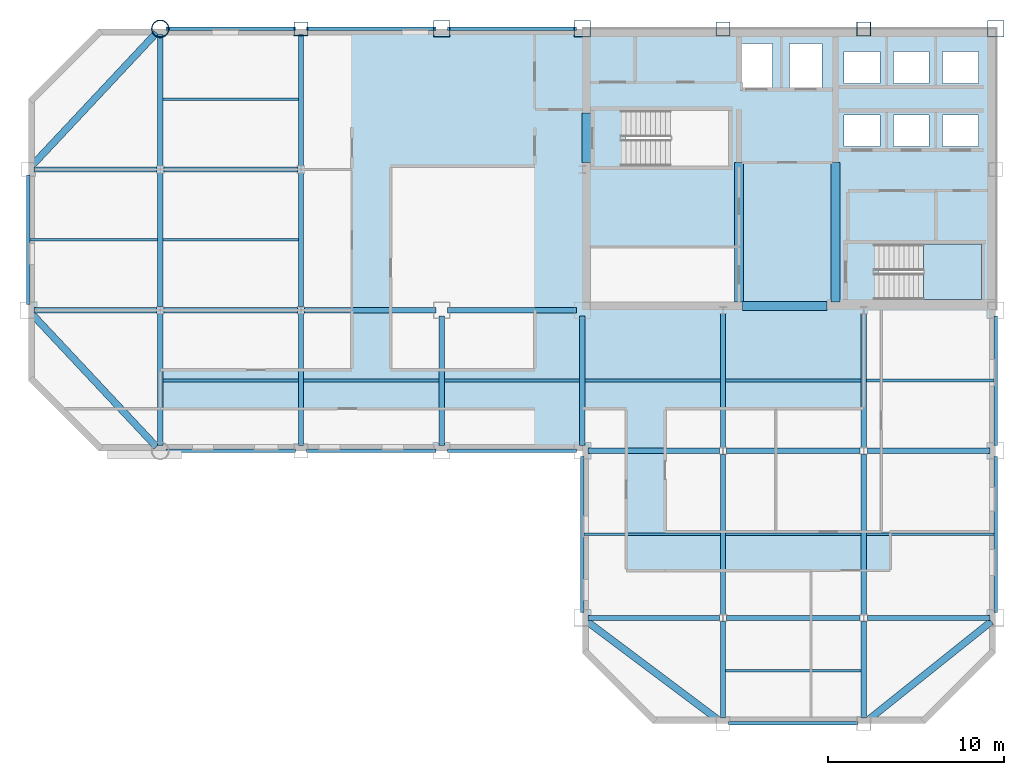
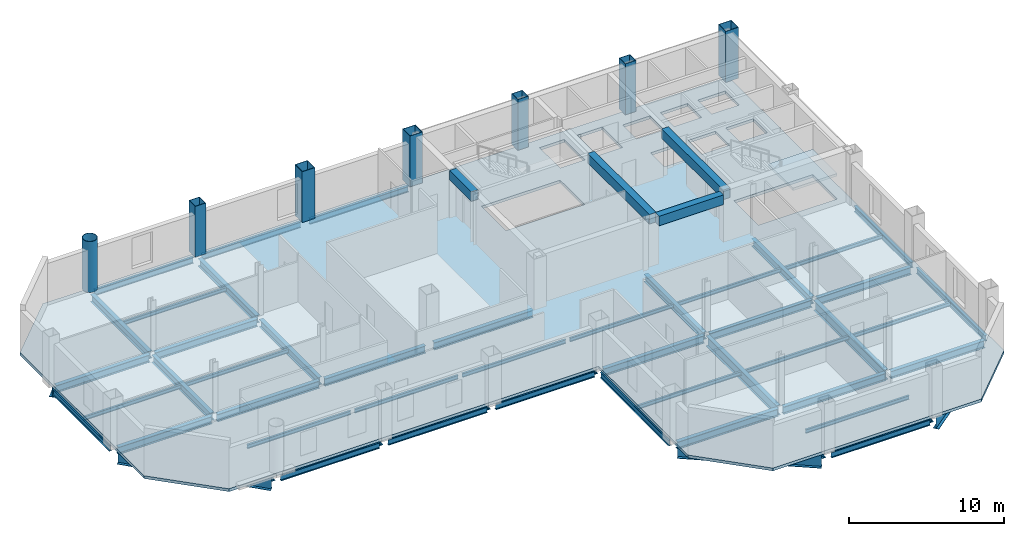
# One storey, part 3 of 10: 58 beams, 7 columns, 2 slabs, 1 element without a shape of its own.
"""IFC4 building model written with IfcOpenShell, lengths in metres."""

from ifc_helpers import new_model, si_unit, direction, frame, origin, origin_2d, place, context, subcontext, project, spatial, polyline, rectangle, hollow_rectangle, hollow_circle, i_section, outline, extrude, material, layer, layer_set, material_profile, profile_set, type_object, element, aggregate, save


model = new_model("IFC4")

# Units and contexts
model_context = context("Model", 3, precision=1e-05, world=origin(), true_north=direction((0.0, 1.0)))
body_context = subcontext(model_context, "Body", "Model", "MODEL_VIEW")
ifc_project = project(units=[si_unit("LENGTHUNIT", "METRE"), si_unit("AREAUNIT", "SQUARE_METRE"), si_unit("VOLUMEUNIT", "CUBIC_METRE"), si_unit("PLANEANGLEUNIT", "RADIAN"), si_unit("MASSUNIT", "GRAM", prefix="KILO")], contexts=[model_context])

# Site, building, storey
site_placement = place(None, origin())
site = spatial("IfcSite", under=ifc_project, at=site_placement, CompositionType="ELEMENT")
building_placement = place(site_placement, origin())
building = spatial("IfcBuilding", under=site, at=building_placement, Name="Qianrong Seaharbour Tower", CompositionType="ELEMENT")
storey_placement = place(building_placement, frame((0.0, 0.0, 245.800048828125)))
storey = spatial("IfcBuildingStorey", under=building, at=storey_placement, Name="L59", CompositionType="ELEMENT", Elevation=245.800048828125)

# Columns
ifc_material_1 = material(Name="Structural steel SN490B", Category="steel")
ifc_material_profile_1 = material_profile(ifc_material_1, hollow_rectangle(XDim=0.949951171875, YDim=0.949951171875, WallThickness=0.035888671875, at=origin_2d()), Name="BOX950x950x36")
ifc_profile_set_1 = profile_set([ifc_material_profile_1], Name="Structural steel SN490B")
column_type_1 = type_object("IfcColumnType", Name="COL-CFT-950", PredefinedType="COLUMN", material=ifc_profile_set_1)
for number, where, z_axis, x_axis, name in (
    (1, (32.5, 52.0, 0.0), (0.0, 0.0, 1.0), (1.0, 0.0, 0.0), "L59 Column MC-4 at G5/GH"),
    (2, (40.5, 52.0, 0.0), (0.0, 0.0, 1.0), (1.0, 0.0, 0.0), "L59 Column MC-4 at G6/GH"),
    (3, (64.0, 52.0, 0.0), (0.0, 0.0, 1.0), (1.0, 0.0, 0.0), "L59 Column MC-4 at G9/GH"),
):
    element("IfcColumn", number, at=place(storey_placement, frame(where, z_axis=z_axis, x_axis=x_axis)), inside=storey, type_object=column_type_1, Name=name, PredefinedType="COLUMN", context=body_context, shape_type="SweptSolid", body=[
        extrude(hollow_rectangle(XDim=0.949951171875, YDim=0.949951171875, WallThickness=0.035888671875, at=origin_2d()), origin(), (0.0, 0.0, 1.0), 4.0),
    ])
ifc_material_profile_2 = material_profile(ifc_material_1, hollow_circle(Radius=0.5, WallThickness=0.035888671875, at=origin_2d()), Name="CHS1000x36")
ifc_profile_set_2 = profile_set([ifc_material_profile_2], Name="Structural steel SN490B")
column_type_2 = type_object("IfcColumnType", Name="COL-CHS-1000", PredefinedType="COLUMN", material=ifc_profile_set_2)
column_placement = place(storey_placement, frame((16.5, 52.0, 0.0), z_axis=(0.0, 0.0, 1.0), x_axis=(1.0, 0.0, 0.0)))
element("IfcColumn", 4, at=column_placement, inside=storey, type_object=column_type_2, Name="L59 Column CC-2 at G3/GH", PredefinedType="COLUMN", context=body_context, shape_type="SweptSolid", body=[
    extrude(hollow_circle(Radius=0.5, WallThickness=0.035888671875, at=origin_2d()), origin(), (0.0, 0.0, 1.0), 4.0),
])
ifc_material_profile_3 = material_profile(ifc_material_1, hollow_rectangle(XDim=0.800048828125, YDim=0.800048828125, WallThickness=0.031982421875, at=origin_2d()), Name="BOX800x800x32")
ifc_profile_set_3 = profile_set([ifc_material_profile_3], Name="Structural steel SN490B")
column_type_3 = type_object("IfcColumnType", Name="COL-PER-800", PredefinedType="COLUMN", material=ifc_profile_set_3)
for number, where, z_axis, x_axis, name in (
    (5, (24.5, 52.0, 0.0), (0.0, 0.0, 1.0), (1.0, 0.0, 0.0), "L59 Column PC-3 at G4/GH"),
    (6, (48.5, 52.0, 0.0), (0.0, 0.0, 1.0), (1.0, 0.0, 0.0), "L59 Column PC-3 at G7/GH"),
    (7, (56.5, 52.0, 0.0), (0.0, 0.0, 1.0), (1.0, 0.0, 0.0), "L59 Column PC-3 at G8/GH"),
):
    element("IfcColumn", number, at=place(storey_placement, frame(where, z_axis=z_axis, x_axis=x_axis)), inside=storey, type_object=column_type_3, Name=name, PredefinedType="COLUMN", context=body_context, shape_type="SweptSolid", body=[
        extrude(hollow_rectangle(XDim=0.800048828125, YDim=0.800048828125, WallThickness=0.031982421875, at=origin_2d()), origin(), (0.0, 0.0, 1.0), 4.0),
    ])

# Beams
ifc_material_profile_4 = material_profile(ifc_material_1, i_section(OverallWidth=0.300048828125, OverallDepth=0.587890625, WebThickness=0.011962890625, FlangeThickness=0.02001953125, FilletRadius=0.02392578125, at=origin_2d()), Name="H588x300x12x20")
ifc_profile_set_4 = profile_set([ifc_material_profile_4], Name="Structural steel SN490B")
beam_type_1 = type_object("IfcBeamType", Name="BM-G-588", PredefinedType="BEAM", material=ifc_profile_set_4)
beam_1_placement = place(storey_placement, frame((40.820068359375, 18.5, -0.51904296875), z_axis=(1.0, 0.0, 0.0), x_axis=(0.0, 1.0, 0.0)))
element("IfcBeam", 8, at=beam_1_placement, inside=storey, type_object=beam_type_1, Name="L59 Primary Girder GD G6-G7", PredefinedType="BEAM", context=body_context, shape_type="SweptSolid", body=[
    extrude(i_section(OverallWidth=0.300048828125, OverallDepth=0.587890625, WebThickness=0.011962890625, FlangeThickness=0.02001953125, FilletRadius=0.02392578125, at=origin_2d()), origin(), (0.0, 0.0, 1.0), 7.47998046875),
])
beam_2_placement = place(storey_placement, frame((48.699951171875, 18.5, -0.51904296875), z_axis=(1.0, 0.0, 0.0), x_axis=(0.0, 1.0, 0.0)))
element("IfcBeam", 9, at=beam_2_placement, inside=storey, type_object=beam_type_1, Name="L59 Primary Girder GD G7-G8", PredefinedType="BEAM", context=body_context, shape_type="SweptSolid", body=[
    extrude(i_section(OverallWidth=0.300048828125, OverallDepth=0.587890625, WebThickness=0.011962890625, FlangeThickness=0.02001953125, FilletRadius=0.02392578125, at=origin_2d()), origin(), (0.0, 0.0, 1.0), 7.60009765625),
])
beam_3_placement = place(storey_placement, frame((56.699951171875, 18.5, -0.51904296875), z_axis=(1.0, 0.0, 0.0), x_axis=(0.0, 1.0, 0.0)))
element("IfcBeam", 10, at=beam_3_placement, inside=storey, type_object=beam_type_1, Name="L59 Primary Girder GD G8-G9", PredefinedType="BEAM", context=body_context, shape_type="SweptSolid", body=[
    extrude(i_section(OverallWidth=0.300048828125, OverallDepth=0.587890625, WebThickness=0.011962890625, FlangeThickness=0.02001953125, FilletRadius=0.02392578125, at=origin_2d()), origin(), (0.0, 0.0, 1.0), 6.97998046875),
])
beam_4_placement = place(storey_placement, frame((40.820068359375, 28.0, -0.51904296875), z_axis=(1.0, 0.0, 0.0), x_axis=(0.0, 1.0, 0.0)))
element("IfcBeam", 11, at=beam_4_placement, inside=storey, type_object=beam_type_1, Name="L59 Primary Girder GE G6-G7", PredefinedType="BEAM", context=body_context, shape_type="SweptSolid", body=[
    extrude(i_section(OverallWidth=0.300048828125, OverallDepth=0.587890625, WebThickness=0.011962890625, FlangeThickness=0.02001953125, FilletRadius=0.02392578125, at=origin_2d()), origin(), (0.0, 0.0, 1.0), 7.47998046875),
])
beam_5_placement = place(storey_placement, frame((48.699951171875, 28.0, -0.51904296875), z_axis=(1.0, 0.0, 0.0), x_axis=(0.0, 1.0, 0.0)))
element("IfcBeam", 12, at=beam_5_placement, inside=storey, type_object=beam_type_1, Name="L59 Primary Girder GE G7-G8", PredefinedType="BEAM", context=body_context, shape_type="SweptSolid", body=[
    extrude(i_section(OverallWidth=0.300048828125, OverallDepth=0.587890625, WebThickness=0.011962890625, FlangeThickness=0.02001953125, FilletRadius=0.02392578125, at=origin_2d()), origin(), (0.0, 0.0, 1.0), 7.60009765625),
])
for number, where, z_axis, x_axis, name in (
    (13, (56.699951171875, 28.0, -0.51904296875), (1.0, 0.0, 0.0), (0.0, 1.0, 0.0), "L59 Primary Girder GE G8-G9"),
    (14, (9.320068359375, 36.0, -0.51904296875), (1.0, 0.0, 0.0), (0.0, 1.0, 0.0), "L59 Primary Girder GF G2-G3"),
):
    element("IfcBeam", number, at=place(storey_placement, frame(where, z_axis=z_axis, x_axis=x_axis)), inside=storey, type_object=beam_type_1, Name=name, PredefinedType="BEAM", context=body_context, shape_type="SweptSolid", body=[
        extrude(i_section(OverallWidth=0.300048828125, OverallDepth=0.587890625, WebThickness=0.011962890625, FlangeThickness=0.02001953125, FilletRadius=0.02392578125, at=origin_2d()), origin(), (0.0, 0.0, 1.0), 6.97998046875),
    ])
beam_6_placement = place(storey_placement, frame((16.699951171875, 36.0, -0.51904296875), z_axis=(1.0, 0.0, 0.0), x_axis=(0.0, 1.0, 0.0)))
element("IfcBeam", 15, at=beam_6_placement, inside=storey, type_object=beam_type_1, Name="L59 Primary Girder GF G3-G4", PredefinedType="BEAM", context=body_context, shape_type="SweptSolid", body=[
    extrude(i_section(OverallWidth=0.300048828125, OverallDepth=0.587890625, WebThickness=0.011962890625, FlangeThickness=0.02001953125, FilletRadius=0.02392578125, at=origin_2d()), origin(), (0.0, 0.0, 1.0), 7.60009765625),
])
beam_7_placement = place(storey_placement, frame((24.699951171875, 36.0, -0.51904296875), z_axis=(1.0, 0.0, 0.0), x_axis=(0.0, 1.0, 0.0)))
element("IfcBeam", 16, at=beam_7_placement, inside=storey, type_object=beam_type_1, Name="L59 Primary Girder GF G4-G5", PredefinedType="BEAM", context=body_context, shape_type="SweptSolid", body=[
    extrude(i_section(OverallWidth=0.300048828125, OverallDepth=0.587890625, WebThickness=0.011962890625, FlangeThickness=0.02001953125, FilletRadius=0.02392578125, at=origin_2d()), origin(), (0.0, 0.0, 1.0), 7.47998046875),
])
beam_8_placement = place(storey_placement, frame((32.820068359375, 36.0, -0.51904296875), z_axis=(1.0, 0.0, 0.0), x_axis=(0.0, 1.0, 0.0)))
element("IfcBeam", 17, at=beam_8_placement, inside=storey, type_object=beam_type_1, Name="L59 Primary Girder GF G5-G6", PredefinedType="BEAM", context=body_context, shape_type="SweptSolid", body=[
    extrude(i_section(OverallWidth=0.300048828125, OverallDepth=0.587890625, WebThickness=0.011962890625, FlangeThickness=0.02001953125, FilletRadius=0.02392578125, at=origin_2d()), origin(), (0.0, 0.0, 1.0), 7.35986328125),
])
beam_9_placement = place(storey_placement, frame((9.320068359375, 44.0, -0.51904296875), z_axis=(1.0, 0.0, 0.0), x_axis=(0.0, 1.0, 0.0)))
element("IfcBeam", 18, at=beam_9_placement, inside=storey, type_object=beam_type_1, Name="L59 Primary Girder GG G2-G3", PredefinedType="BEAM", context=body_context, shape_type="SweptSolid", body=[
    extrude(i_section(OverallWidth=0.300048828125, OverallDepth=0.587890625, WebThickness=0.011962890625, FlangeThickness=0.02001953125, FilletRadius=0.02392578125, at=origin_2d()), origin(), (0.0, 0.0, 1.0), 6.97998046875),
])
beam_10_placement = place(storey_placement, frame((16.699951171875, 44.0, -0.51904296875), z_axis=(1.0, 0.0, 0.0), x_axis=(0.0, 1.0, 0.0)))
element("IfcBeam", 19, at=beam_10_placement, inside=storey, type_object=beam_type_1, Name="L59 Primary Girder GG G3-G4", PredefinedType="BEAM", context=body_context, shape_type="SweptSolid", body=[
    extrude(i_section(OverallWidth=0.300048828125, OverallDepth=0.587890625, WebThickness=0.011962890625, FlangeThickness=0.02001953125, FilletRadius=0.02392578125, at=origin_2d()), origin(), (0.0, 0.0, 1.0), 7.60009765625),
])
beam_11_placement = place(storey_placement, frame((16.5, 28.320068359375, -0.51904296875), z_axis=(0.0, 1.0, 0.0), x_axis=(-1.0, 0.0, 0.0)))
element("IfcBeam", 20, at=beam_11_placement, inside=storey, type_object=beam_type_1, Name="L59 Primary Girder G3 GE-GF", PredefinedType="BEAM", context=body_context, shape_type="SweptSolid", body=[
    extrude(i_section(OverallWidth=0.300048828125, OverallDepth=0.587890625, WebThickness=0.011962890625, FlangeThickness=0.02001953125, FilletRadius=0.02392578125, at=origin_2d()), origin(), (0.0, 0.0, 1.0), 7.47998046875),
])
beam_12_placement = place(storey_placement, frame((16.5, 36.199951171875, -0.51904296875), z_axis=(0.0, 1.0, 0.0), x_axis=(-1.0, 0.0, 0.0)))
element("IfcBeam", 21, at=beam_12_placement, inside=storey, type_object=beam_type_1, Name="L59 Primary Girder G3 GF-GG", PredefinedType="BEAM", context=body_context, shape_type="SweptSolid", body=[
    extrude(i_section(OverallWidth=0.300048828125, OverallDepth=0.587890625, WebThickness=0.011962890625, FlangeThickness=0.02001953125, FilletRadius=0.02392578125, at=origin_2d()), origin(), (0.0, 0.0, 1.0), 7.60009765625),
])
for number, where, z_axis, x_axis, name in (
    (22, (16.5, 44.199951171875, -0.51904296875), (0.0, 1.0, 0.0), (-1.0, 0.0, 0.0), "L59 Primary Girder G3 GG-GH"),
    (23, (24.5, 28.320068359375, -0.51904296875), (0.0, 1.0, 0.0), (-1.0, 0.0, 0.0), "L59 Primary Girder G4 GE-GF"),
):
    element("IfcBeam", number, at=place(storey_placement, frame(where, z_axis=z_axis, x_axis=x_axis)), inside=storey, type_object=beam_type_1, Name=name, PredefinedType="BEAM", context=body_context, shape_type="SweptSolid", body=[
        extrude(i_section(OverallWidth=0.300048828125, OverallDepth=0.587890625, WebThickness=0.011962890625, FlangeThickness=0.02001953125, FilletRadius=0.02392578125, at=origin_2d()), origin(), (0.0, 0.0, 1.0), 7.47998046875),
    ])
beam_13_placement = place(storey_placement, frame((24.5, 36.199951171875, -0.51904296875), z_axis=(0.0, 1.0, 0.0), x_axis=(-1.0, 0.0, 0.0)))
element("IfcBeam", 24, at=beam_13_placement, inside=storey, type_object=beam_type_1, Name="L59 Primary Girder G4 GF-GG", PredefinedType="BEAM", context=body_context, shape_type="SweptSolid", body=[
    extrude(i_section(OverallWidth=0.300048828125, OverallDepth=0.587890625, WebThickness=0.011962890625, FlangeThickness=0.02001953125, FilletRadius=0.02392578125, at=origin_2d()), origin(), (0.0, 0.0, 1.0), 7.60009765625),
])
beam_14_placement = place(storey_placement, frame((24.5, 44.199951171875, -0.51904296875), z_axis=(0.0, 1.0, 0.0), x_axis=(-1.0, 0.0, 0.0)))
element("IfcBeam", 25, at=beam_14_placement, inside=storey, type_object=beam_type_1, Name="L59 Primary Girder G4 GG-GH", PredefinedType="BEAM", context=body_context, shape_type="SweptSolid", body=[
    extrude(i_section(OverallWidth=0.300048828125, OverallDepth=0.587890625, WebThickness=0.011962890625, FlangeThickness=0.02001953125, FilletRadius=0.02392578125, at=origin_2d()), origin(), (0.0, 0.0, 1.0), 7.47998046875),
])
for number, where, z_axis, x_axis, name in (
    (26, (32.5, 28.320068359375, -0.51904296875), (0.0, 1.0, 0.0), (-1.0, 0.0, 0.0), "L59 Primary Girder G5 GE-GF"),
    (27, (40.5, 28.320068359375, -0.51904296875), (0.0, 1.0, 0.0), (-1.0, 0.0, 0.0), "L59 Primary Girder G6 GE-GF"),
):
    element("IfcBeam", number, at=place(storey_placement, frame(where, z_axis=z_axis, x_axis=x_axis)), inside=storey, type_object=beam_type_1, Name=name, PredefinedType="BEAM", context=body_context, shape_type="SweptSolid", body=[
        extrude(i_section(OverallWidth=0.300048828125, OverallDepth=0.587890625, WebThickness=0.011962890625, FlangeThickness=0.02001953125, FilletRadius=0.02392578125, at=origin_2d()), origin(), (0.0, 0.0, 1.0), 7.35986328125),
    ])
beam_15_placement = place(storey_placement, frame((48.5, 12.820068359375, -0.51904296875), z_axis=(0.0, 1.0, 0.0), x_axis=(-1.0, 0.0, 0.0)))
element("IfcBeam", 28, at=beam_15_placement, inside=storey, type_object=beam_type_1, Name="L59 Primary Girder G7 GC-GD", PredefinedType="BEAM", context=body_context, shape_type="SweptSolid", body=[
    extrude(i_section(OverallWidth=0.300048828125, OverallDepth=0.587890625, WebThickness=0.011962890625, FlangeThickness=0.02001953125, FilletRadius=0.02392578125, at=origin_2d()), origin(), (0.0, 0.0, 1.0), 5.47998046875),
])
beam_16_placement = place(storey_placement, frame((48.5, 28.199951171875, -0.51904296875), z_axis=(0.0, 1.0, 0.0), x_axis=(-1.0, 0.0, 0.0)))
element("IfcBeam", 29, at=beam_16_placement, inside=storey, type_object=beam_type_1, Name="L59 Primary Girder G7 GE-GF", PredefinedType="BEAM", context=body_context, shape_type="SweptSolid", body=[
    extrude(i_section(OverallWidth=0.300048828125, OverallDepth=0.587890625, WebThickness=0.011962890625, FlangeThickness=0.02001953125, FilletRadius=0.02392578125, at=origin_2d()), origin(), (0.0, 0.0, 1.0), 7.60009765625),
])
beam_17_placement = place(storey_placement, frame((56.5, 12.820068359375, -0.51904296875), z_axis=(0.0, 1.0, 0.0), x_axis=(-1.0, 0.0, 0.0)))
element("IfcBeam", 30, at=beam_17_placement, inside=storey, type_object=beam_type_1, Name="L59 Primary Girder G8 GC-GD", PredefinedType="BEAM", context=body_context, shape_type="SweptSolid", body=[
    extrude(i_section(OverallWidth=0.300048828125, OverallDepth=0.587890625, WebThickness=0.011962890625, FlangeThickness=0.02001953125, FilletRadius=0.02392578125, at=origin_2d()), origin(), (0.0, 0.0, 1.0), 5.47998046875),
])
beam_18_placement = place(storey_placement, frame((56.5, 28.199951171875, -0.51904296875), z_axis=(0.0, 1.0, 0.0), x_axis=(-1.0, 0.0, 0.0)))
element("IfcBeam", 31, at=beam_18_placement, inside=storey, type_object=beam_type_1, Name="L59 Primary Girder G8 GE-GF", PredefinedType="BEAM", context=body_context, shape_type="SweptSolid", body=[
    extrude(i_section(OverallWidth=0.300048828125, OverallDepth=0.587890625, WebThickness=0.011962890625, FlangeThickness=0.02001953125, FilletRadius=0.02392578125, at=origin_2d()), origin(), (0.0, 0.0, 1.0), 7.60009765625),
])
ifc_material_profile_5 = material_profile(ifc_material_1, i_section(OverallWidth=0.300048828125, OverallDepth=0.800048828125, WebThickness=0.013916015625, FlangeThickness=0.02587890625, FilletRadius=0.028076171875, at=origin_2d()), Name="H800x300x14x26")
ifc_profile_set_5 = profile_set([ifc_material_profile_5], Name="Structural steel SN490B")
beam_type_2 = type_object("IfcBeamType", Name="BM-G-800", PredefinedType="BEAM", material=ifc_profile_set_5)
for number, where, z_axis, x_axis, name in (
    (32, (48.5, 18.699951171875, -0.625), (0.0, 1.0, 0.0), (-1.0, 0.0, 0.0), "L59 Primary Girder G7 GD-GE"),
    (33, (56.5, 18.699951171875, -0.625), (0.0, 1.0, 0.0), (-1.0, 0.0, 0.0), "L59 Primary Girder G8 GD-GE"),
):
    element("IfcBeam", number, at=place(storey_placement, frame(where, z_axis=z_axis, x_axis=x_axis)), inside=storey, type_object=beam_type_2, Name=name, PredefinedType="BEAM", context=body_context, shape_type="SweptSolid", body=[
        extrude(i_section(OverallWidth=0.300048828125, OverallDepth=0.800048828125, WebThickness=0.013916015625, FlangeThickness=0.02587890625, FilletRadius=0.028076171875, at=origin_2d()), origin(), (0.0, 0.0, 1.0), 9.10009765625),
    ])
ifc_material_2 = material(Name="Structural steel SN400B", Category="steel")
ifc_material_profile_6 = material_profile(ifc_material_2, i_section(OverallWidth=0.14990234375, OverallDepth=0.300048828125, WebThickness=0.006591796875, FlangeThickness=0.009033203125, FilletRadius=0.012939453125, at=origin_2d()), Name="H300x150x6.5x9")
ifc_profile_set_6 = profile_set([ifc_material_profile_6], Name="Structural steel SN400B")
beam_type_3 = type_object("IfcBeamType", Name="BM-J-300", PredefinedType="JOIST", material=ifc_profile_set_6)
beam_19_placement = place(storey_placement, frame((9.10009765625, 40.0, -0.375), z_axis=(1.0, 0.0, 0.0), x_axis=(0.0, 1.0, 0.0)))
element("IfcBeam", 34, at=beam_19_placement, inside=storey, type_object=beam_type_3, Name="L59 Composite Floor Joist G2-G3/GF-GG", PredefinedType="JOIST", context=body_context, shape_type="SweptSolid", body=[
    extrude(i_section(OverallWidth=0.14990234375, OverallDepth=0.300048828125, WebThickness=0.006591796875, FlangeThickness=0.009033203125, FilletRadius=0.012939453125, at=origin_2d()), origin(), (0.0, 0.0, 1.0), 7.25),
])
for number, where, z_axis, x_axis, name in (
    (35, (16.64990234375, 32.0, -0.375), (1.0, 0.0, 0.0), (0.0, 1.0, 0.0), "L59 Composite Floor Joist G3-G4/GE-GF"),
    (36, (16.64990234375, 40.0, -0.375), (1.0, 0.0, 0.0), (0.0, 1.0, 0.0), "L59 Composite Floor Joist G3-G4/GF-GG"),
    (37, (16.64990234375, 48.0, -0.375), (1.0, 0.0, 0.0), (0.0, 1.0, 0.0), "L59 Composite Floor Joist G3-G4/GG-GH"),
    (38, (24.64990234375, 32.0, -0.375), (1.0, 0.0, 0.0), (0.0, 1.0, 0.0), "L59 Composite Floor Joist G4-G5/GE-GF"),
    (39, (32.64990234375, 32.0, -0.375), (1.0, 0.0, 0.0), (0.0, 1.0, 0.0), "L59 Composite Floor Joist G5-G6/GE-GF"),
):
    element("IfcBeam", number, at=place(storey_placement, frame(where, z_axis=z_axis, x_axis=x_axis)), inside=storey, type_object=beam_type_3, Name=name, PredefinedType="JOIST", context=body_context, shape_type="SweptSolid", body=[
        extrude(i_section(OverallWidth=0.14990234375, OverallDepth=0.300048828125, WebThickness=0.006591796875, FlangeThickness=0.009033203125, FilletRadius=0.012939453125, at=origin_2d()), origin(), (0.0, 0.0, 1.0), 7.7001953125),
    ])
beam_20_placement = place(storey_placement, frame((40.60009765625, 23.25, -0.375), z_axis=(1.0, 0.0, 0.0), x_axis=(0.0, 1.0, 0.0)))
element("IfcBeam", 40, at=beam_20_placement, inside=storey, type_object=beam_type_3, Name="L59 Composite Floor Joist G6-G7/GD-GE", PredefinedType="JOIST", context=body_context, shape_type="SweptSolid", body=[
    extrude(i_section(OverallWidth=0.14990234375, OverallDepth=0.300048828125, WebThickness=0.006591796875, FlangeThickness=0.009033203125, FilletRadius=0.012939453125, at=origin_2d()), origin(), (0.0, 0.0, 1.0), 7.75),
])
for number, where, z_axis, x_axis, name in (
    (41, (40.64990234375, 32.0, -0.375), (1.0, 0.0, 0.0), (0.0, 1.0, 0.0), "L59 Composite Floor Joist G6-G7/GE-GF"),
    (42, (48.64990234375, 15.5, -0.375), (1.0, 0.0, 0.0), (0.0, 1.0, 0.0), "L59 Composite Floor Joist G7-G8/GC-GD"),
    (43, (48.64990234375, 23.25, -0.375), (1.0, 0.0, 0.0), (0.0, 1.0, 0.0), "L59 Composite Floor Joist G7-G8/GD-GE"),
    (44, (48.64990234375, 32.0, -0.375), (1.0, 0.0, 0.0), (0.0, 1.0, 0.0), "L59 Composite Floor Joist G7-G8/GE-GF"),
):
    element("IfcBeam", number, at=place(storey_placement, frame(where, z_axis=z_axis, x_axis=x_axis)), inside=storey, type_object=beam_type_3, Name=name, PredefinedType="JOIST", context=body_context, shape_type="SweptSolid", body=[
        extrude(i_section(OverallWidth=0.14990234375, OverallDepth=0.300048828125, WebThickness=0.006591796875, FlangeThickness=0.009033203125, FilletRadius=0.012939453125, at=origin_2d()), origin(), (0.0, 0.0, 1.0), 7.7001953125),
    ])
for number, where, z_axis, x_axis, name in (
    (45, (56.64990234375, 23.25, -0.375), (1.0, 0.0, 0.0), (0.0, 1.0, 0.0), "L59 Composite Floor Joist G8-G9/GD-GE"),
    (46, (56.64990234375, 32.0, -0.375), (1.0, 0.0, 0.0), (0.0, 1.0, 0.0), "L59 Composite Floor Joist G8-G9/GE-GF"),
):
    element("IfcBeam", number, at=place(storey_placement, frame(where, z_axis=z_axis, x_axis=x_axis)), inside=storey, type_object=beam_type_3, Name=name, PredefinedType="JOIST", context=body_context, shape_type="SweptSolid", body=[
        extrude(i_section(OverallWidth=0.14990234375, OverallDepth=0.300048828125, WebThickness=0.006591796875, FlangeThickness=0.009033203125, FilletRadius=0.012939453125, at=origin_2d()), origin(), (0.0, 0.0, 1.0), 7.25),
    ])
ifc_material_3 = material(Name="Concrete C60/75", Category="concrete")
ifc_material_profile_7 = material_profile(ifc_material_3, rectangle(XDim=0.5, YDim=0.75, at=origin_2d()), Name="RC500x750")
ifc_profile_set_7 = profile_set([ifc_material_profile_7], Name="Concrete C60/75")
beam_type_4 = type_object("IfcBeamType", Name="BM-LINTEL-750", PredefinedType="LINTEL", material=ifc_profile_set_7)
beam_21_placement = place(storey_placement, frame((40.72998046875, 44.39990234375, 3.39990234375), z_axis=(0.0, 1.0, 0.0), x_axis=(-1.0, 0.0, 0.0)))
element("IfcBeam", 47, at=beam_21_placement, inside=storey, type_object=beam_type_4, Name="L59 Core Coupling Lintel Beam West", PredefinedType="LINTEL", context=body_context, shape_type="SweptSolid", body=[
    extrude(rectangle(XDim=0.5, YDim=0.75, at=origin_2d()), origin(), (0.0, 0.0, 1.0), 2.800048828125),
])
beam_22_placement = place(storey_placement, frame((49.60009765625, 36.22998046875, 3.39990234375), z_axis=(1.0, 0.0, 0.0), x_axis=(0.0, 1.0, 0.0)))
element("IfcBeam", 48, at=beam_22_placement, inside=storey, type_object=beam_type_4, Name="L59 Core Coupling Lintel Beam CBC", PredefinedType="LINTEL", context=body_context, shape_type="SweptSolid", body=[
    extrude(rectangle(XDim=0.5, YDim=0.75, at=origin_2d()), origin(), (0.0, 0.0, 1.0), 4.7998046875),
])
for number, where, z_axis, x_axis, name in (
    (49, (49.39990234375, 36.4599609375, 3.39990234375), (0.0, 1.0, 0.0), (-1.0, 0.0, 0.0), "L59 Internal Core Coupling Beam IW1"),
    (50, (54.89990234375, 36.4599609375, 3.39990234375), (0.0, 1.0, 0.0), (-1.0, 0.0, 0.0), "L59 Internal Core Coupling Beam IW2"),
):
    element("IfcBeam", number, at=place(storey_placement, frame(where, z_axis=z_axis, x_axis=x_axis)), inside=storey, type_object=beam_type_4, Name=name, PredefinedType="LINTEL", context=body_context, shape_type="SweptSolid", body=[
        extrude(rectangle(XDim=0.5, YDim=0.75, at=origin_2d()), origin(), (0.0, 0.0, 1.0), 7.93994140625),
    ])
ifc_material_profile_8 = material_profile(ifc_material_2, i_section(OverallWidth=0.199951171875, OverallDepth=0.449951171875, WebThickness=0.009033203125, FlangeThickness=0.013916015625, FilletRadius=0.01806640625, at=origin_2d()), Name="H450x200x9x14")
ifc_profile_set_8 = profile_set([ifc_material_profile_8], Name="Structural steel SN400B")
beam_type_5 = type_object("IfcBeamType", Name="BM-SP-450", PredefinedType="SPANDREL", material=ifc_profile_set_8)
for number, where, z_axis, x_axis, name in (
    (51, (48.820068359375, 12.5, -0.449951171875), (1.0, 0.0, 0.0), (0.0, 1.0, 0.0), "L59 Spandrel Girder GC G7-G8"),
    (52, (16.820068359375, 28.0, -0.449951171875), (1.0, 0.0, 0.0), (0.0, 1.0, 0.0), "L59 Spandrel Girder GE G3-G4"),
    (53, (24.820068359375, 28.0, -0.449951171875), (1.0, 0.0, 0.0), (0.0, 1.0, 0.0), "L59 Spandrel Girder GE G4-G5"),
    (54, (32.820068359375, 28.0, -0.449951171875), (1.0, 0.0, 0.0), (0.0, 1.0, 0.0), "L59 Spandrel Girder GE G5-G6"),
    (55, (16.820068359375, 52.0, -0.449951171875), (1.0, 0.0, 0.0), (0.0, 1.0, 0.0), "L59 Spandrel Girder GH G3-G4"),
    (56, (24.820068359375, 52.0, -0.449951171875), (1.0, 0.0, 0.0), (0.0, 1.0, 0.0), "L59 Spandrel Girder GH G4-G5"),
    (57, (32.820068359375, 52.0, -0.449951171875), (1.0, 0.0, 0.0), (0.0, 1.0, 0.0), "L59 Spandrel Girder GH G5-G6"),
    (58, (9.0, 36.320068359375, -0.449951171875), (0.0, 1.0, 0.0), (-1.0, 0.0, 0.0), "L59 Spandrel Girder G2 GF-GG"),
):
    element("IfcBeam", number, at=place(storey_placement, frame(where, z_axis=z_axis, x_axis=x_axis)), inside=storey, type_object=beam_type_5, Name=name, PredefinedType="SPANDREL", context=body_context, shape_type="SweptSolid", body=[
        extrude(i_section(OverallWidth=0.199951171875, OverallDepth=0.449951171875, WebThickness=0.009033203125, FlangeThickness=0.013916015625, FilletRadius=0.01806640625, at=origin_2d()), origin(), (0.0, 0.0, 1.0), 7.35986328125),
    ])
for number, where, z_axis, x_axis, name in (
    (59, (40.5, 18.820068359375, -0.449951171875), (0.0, 1.0, 0.0), (-1.0, 0.0, 0.0), "L59 Spandrel Girder G6 GD-GE"),
    (60, (64.0, 18.820068359375, -0.449951171875), (0.0, 1.0, 0.0), (-1.0, 0.0, 0.0), "L59 Spandrel Girder G9 GD-GE"),
):
    element("IfcBeam", number, at=place(storey_placement, frame(where, z_axis=z_axis, x_axis=x_axis)), inside=storey, type_object=beam_type_5, Name=name, PredefinedType="SPANDREL", context=body_context, shape_type="SweptSolid", body=[
        extrude(i_section(OverallWidth=0.199951171875, OverallDepth=0.449951171875, WebThickness=0.009033203125, FlangeThickness=0.013916015625, FilletRadius=0.01806640625, at=origin_2d()), origin(), (0.0, 0.0, 1.0), 8.85986328125),
    ])
beam_23_placement = place(storey_placement, frame((64.0, 28.320068359375, -0.449951171875), z_axis=(0.0, 1.0, 0.0), x_axis=(-1.0, 0.0, 0.0)))
element("IfcBeam", 61, at=beam_23_placement, inside=storey, type_object=beam_type_5, Name="L59 Spandrel Girder G9 GE-GF", PredefinedType="SPANDREL", context=body_context, shape_type="SweptSolid", body=[
    extrude(i_section(OverallWidth=0.199951171875, OverallDepth=0.449951171875, WebThickness=0.009033203125, FlangeThickness=0.013916015625, FilletRadius=0.01806640625, at=origin_2d()), origin(), (0.0, 0.0, 1.0), 7.35986328125),
])
ifc_material_profile_9 = material_profile(ifc_material_1, i_section(OverallWidth=0.39990234375, OverallDepth=1.10009765625, WebThickness=0.02001953125, FlangeThickness=0.035888671875, at=origin_2d()), Name="BH1100x400x20x36")
ifc_profile_set_9 = profile_set([ifc_material_profile_9], Name="Structural steel SN490B")
beam_type_6 = type_object("IfcBeamType", Name="BM-TG-1100", PredefinedType="BEAM", material=ifc_profile_set_9)
for number, where, z_axis, x_axis, name in (
    (62, (16.28125, 28.2333984375, -0.775146484375), (-0.683947420573, 0.729531305628, 0.0), (-0.729531305628, -0.683947420573, 0.0), "L59 Chamfer Corner Spandrel Girder G2/GE"),
    (63, (16.28125, 51.7666015625, -0.775146484375), (-0.683947420573, -0.729531305628, 0.0), (0.729531305628, -0.683947420573, 0.0), "L59 Chamfer Corner Spandrel Girder G2/GH"),
):
    element("IfcBeam", number, at=place(storey_placement, frame(where, z_axis=z_axis, x_axis=x_axis)), inside=storey, type_object=beam_type_6, Name=name, PredefinedType="BEAM", context=body_context, shape_type="SweptSolid", body=[
        extrude(i_section(OverallWidth=0.39990234375, OverallDepth=1.10009765625, WebThickness=0.02001953125, FlangeThickness=0.035888671875, at=origin_2d()), origin(), (0.0, 0.0, 1.0), 10.326171875),
    ])
beam_24_placement = place(storey_placement, frame((48.243896484375, 12.69189453125, -0.775146484375), z_axis=(-0.799981219482, 0.600025039875, 0.0), x_axis=(-0.600025039875, -0.799981219482, 0.0)))
element("IfcBeam", 64, at=beam_24_placement, inside=storey, type_object=beam_type_6, Name="L59 Chamfer Corner Spandrel Girder G6/GC", PredefinedType="BEAM", context=body_context, shape_type="SweptSolid", body=[
    extrude(i_section(OverallWidth=0.39990234375, OverallDepth=1.10009765625, WebThickness=0.02001953125, FlangeThickness=0.035888671875, at=origin_2d()), origin(), (0.0, 0.0, 1.0), 9.35986328125),
])
beam_25_placement = place(storey_placement, frame((56.75, 12.699951171875, -0.775146484375), z_axis=(0.780863495394, 0.624701690058, 0.0), x_axis=(-0.624701690058, 0.780863495394, 0.0)))
element("IfcBeam", 65, at=beam_25_placement, inside=storey, type_object=beam_type_6, Name="L59 Chamfer Corner Spandrel Girder G9/GC", PredefinedType="BEAM", context=body_context, shape_type="SweptSolid", body=[
    extrude(i_section(OverallWidth=0.39990234375, OverallDepth=1.10009765625, WebThickness=0.02001953125, FlangeThickness=0.035888671875, at=origin_2d()), origin(), (0.0, 0.0, 1.0), 8.96435546875),
])

# Stair, slab
ifc_material_4 = material(Name="Concrete C50/60", Category="concrete")
stair_type = type_object("IfcStairType", Name="STAIR-DOGLEG-1500-R22", PredefinedType="HALF_TURN_STAIR", material=ifc_material_4)
stair_placement = place(storey_placement, origin())
stair = element("IfcStair", 66, at=stair_placement, inside=storey, type_object=stair_type, Name="L59 Protected Escape Stair ST-2", PredefinedType="HALF_TURN_STAIR")
ifc_layer_1 = layer(ifc_material_4, 0.199951171875)
ifc_layer_set_1 = layer_set([ifc_layer_1], Name="Concrete C50/60")
slab_type_1 = type_object("IfcSlabType", Name="SLAB-STAIR-LANDING-200", PredefinedType="LANDING", material=ifc_layer_set_1)
slab_1_placement = place(storey_placement, frame((0.0, 0.0, 1.800048828125)))
slab_1 = element("IfcSlab", 67, at=slab_1_placement, type_object=slab_type_1, Name="ST-2 landing 1", PredefinedType="LANDING", context=body_context, shape_type="SweptSolid", body=[
    extrude(outline(polyline([(59.89990234375, 36.60009765625), (63.199951171875, 36.60009765625), (63.199951171875, 39.75), (59.89990234375, 39.75), (59.89990234375, 36.60009765625)])), origin(), (0.0, 0.0, 1.0), 0.199951171875),
])
aggregate(stair, [slab_1])

# Slab
ifc_layer_2 = layer(ifc_material_4, 0.22509765625)
ifc_layer_set_2 = layer_set([ifc_layer_2], Name="Concrete C50/60")
slab_type_2 = type_object("IfcSlabType", Name="SLAB-Z3-225", PredefinedType="FLOOR", material=ifc_layer_set_2)
slab_2_placement = place(storey_placement, frame((0.0, 0.0, -0.22509765625)))
element("IfcSlab", 68, at=slab_2_placement, inside=storey, type_object=slab_type_2, Name="L59 Structural Floor Slab", PredefinedType="FLOOR", context=body_context, shape_type="SweptSolid", body=[
    extrude(outline(polyline([(44.5, 12.5), (60.0, 12.5), (64.0, 16.5), (64.0, 52.0), (13.0, 52.0), (9.0, 48.0), (9.0, 32.0), (13.0, 28.0), (40.5, 28.0), (40.5, 16.5), (44.5, 12.5)]), holes=[polyline([(42.93994140625, 44.199951171875), (42.93994140625, 47.35009765625), (48.800048828125, 47.35009765625), (48.800048828125, 44.199951171875), (42.93994140625, 44.199951171875)]), polyline([(57.340087890625, 36.60009765625), (57.340087890625, 39.75), (63.199951171875, 39.75), (63.199951171875, 36.60009765625), (57.340087890625, 36.60009765625)]), polyline([(49.47998046875, 48.530029296875), (49.47998046875, 51.169921875), (51.320068359375, 51.169921875), (51.320068359375, 48.530029296875), (49.47998046875, 48.530029296875)]), polyline([(52.280029296875, 48.530029296875), (52.280029296875, 51.169921875), (54.1201171875, 51.169921875), (54.1201171875, 48.530029296875), (52.280029296875, 48.530029296875)]), polyline([(55.3798828125, 45.300048828125), (55.3798828125, 47.10009765625), (57.419921875, 47.10009765625), (57.419921875, 45.300048828125), (55.3798828125, 45.300048828125)]), polyline([(58.179931640625, 45.300048828125), (58.179931640625, 47.10009765625), (60.219970703125, 47.10009765625), (60.219970703125, 45.300048828125), (58.179931640625, 45.300048828125)]), polyline([(60.97998046875, 45.300048828125), (60.97998046875, 47.10009765625), (63.02001953125, 47.10009765625), (63.02001953125, 45.300048828125), (60.97998046875, 45.300048828125)]), polyline([(55.3798828125, 48.89990234375), (55.3798828125, 50.699951171875), (57.419921875, 50.699951171875), (57.419921875, 48.89990234375), (55.3798828125, 48.89990234375)]), polyline([(58.179931640625, 48.89990234375), (58.179931640625, 50.699951171875), (60.219970703125, 50.699951171875), (60.219970703125, 48.89990234375), (58.179931640625, 48.89990234375)]), polyline([(60.97998046875, 48.89990234375), (60.97998046875, 50.699951171875), (63.02001953125, 50.699951171875), (63.02001953125, 48.89990234375), (60.97998046875, 48.89990234375)])]), origin(), (0.0, 0.0, 1.0), 0.22509765625),
])

save(model, "model.ifc")
